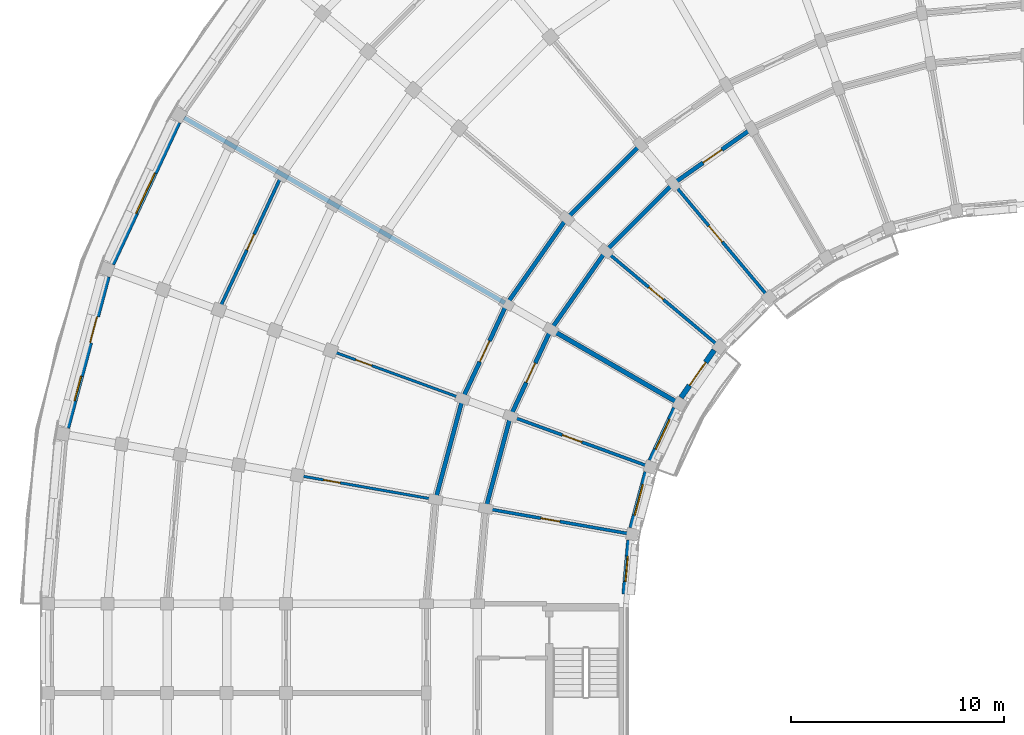
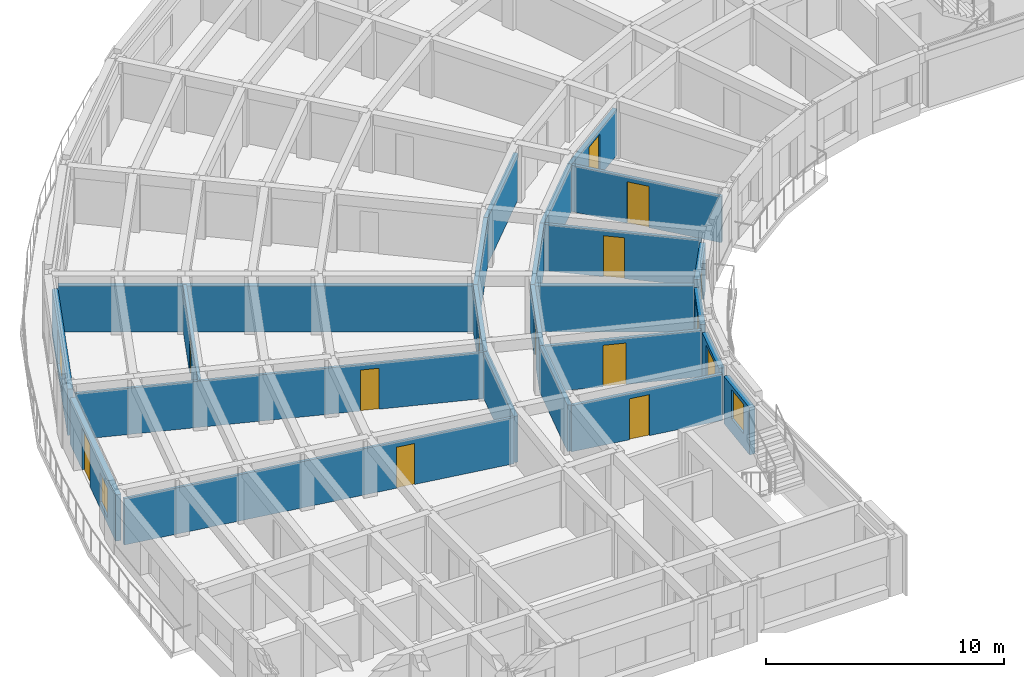
# One storey, part 23 of 53: 24 walls, 12 doors, 5 windows, 17 openings.
"""IFC4 building model written with IfcOpenShell, lengths in metres."""

from ifc_helpers import new_model, si_unit, direction, frame, frame_2d, origin, place, context, subcontext, project, spatial, rectangle, extrude, material, layer, layer_set, type_object, element, fill, save


model = new_model("IFC4")

# Units and contexts
model_context = context("Model", 3, precision=1e-05, world=origin(), true_north=direction((0.0, 1.0)))
body_context = subcontext(model_context, "Body", "Model", "MODEL_VIEW")
ifc_project = project(units=[si_unit("LENGTHUNIT", "METRE"), si_unit("AREAUNIT", "SQUARE_METRE"), si_unit("VOLUMEUNIT", "CUBIC_METRE"), si_unit("PLANEANGLEUNIT", "RADIAN"), si_unit("MASSUNIT", "GRAM", prefix="KILO")], contexts=[model_context])

# Site, building, storey
site_placement = place(None, origin())
site = spatial("IfcSite", under=ifc_project, at=site_placement, CompositionType="ELEMENT")
building_placement = place(site_placement, origin())
building = spatial("IfcBuilding", under=site, at=building_placement, Name="Kiranvali Square Residences", CompositionType="ELEMENT")
storey_placement = place(building_placement, frame((0.0, 0.0, 30.75)))
storey = spatial("IfcBuildingStorey", under=building, at=storey_placement, Name="L09", CompositionType="ELEMENT", Elevation=30.75)

# Wall, opening, door
ifc_material_1 = material(Name="Autoclaved aerated concrete blockwork masonry", Category="masonry")
ifc_layer_1 = layer(ifc_material_1, 0.199951171875)
ifc_layer_set_1 = layer_set([ifc_layer_1], Name="Autoclaved aerated concrete blockwork masonry")
wall_type_1 = type_object("IfcWallType", Name="WL-COR-200", PredefinedType="STANDARD", material=ifc_layer_set_1)
wall_1_placement = place(storey_placement, frame((35.300048828125, 110.1435546875, 0.0), z_axis=(0.0, 0.0, 1.0), x_axis=(-0.819155404658, -0.573571637217, 0.0)))
wall_1 = element("IfcWall", 1, at=wall_1_placement, inside=storey, type_object=wall_type_1, Name="L09 architectural wall WL-L09-A-CCI-3", PredefinedType="STANDARD", context=body_context, shape_type="SweptSolid", body=[
    extrude(rectangle(XDim=4.497314453125, YDim=0.199951171875, at=frame_2d((2.24853515625, 0.0))), origin(), (0.0, 0.0, 1.0), 2.3720703125),
])
opening_1_placement = place(wall_1_placement, frame((1.708740234375, 0.0, 0.0)))
opening_1 = element("IfcOpeningElement", 2, at=opening_1_placement, cuts=wall_1, Name="Opening FD-APT-60C", PredefinedType="OPENING", context=body_context, shape_type="SweptSolid", body=[
    extrude(rectangle(XDim=1.080078125, YDim=2.14990234375, at=frame_2d((0.5400390625, 1.074951171875))), frame((0.0, 0.10986328125, 0.0), z_axis=(0.0, -1.0, 0.0), x_axis=(1.0, 0.0, 0.0)), (0.0, 0.0, 1.0), 0.219970703125),
])
ifc_material_2 = material(Name="Fire-rated acoustic hardwood and mineral-core door assembly", Category="wood")
door_type_1 = type_object("IfcDoorType", Name="DR-APT-1080", OperationType="NOTDEFINED", PredefinedType="DOOR", material=ifc_material_2)
door_1_placement = place(opening_1_placement, origin())
door_1 = element("IfcDoor", 3, at=door_1_placement, inside=storey, type_object=door_type_1, Name="L09 door DR-L09-0617 (DR-APT-1080)", OperationType="SINGLE_SWING_LEFT", OverallHeight=2.14990234375, OverallWidth=1.080078125, PredefinedType="DOOR", context=body_context, shape_type="SweptSolid", body=[
    extrude(rectangle(XDim=1.080078125, YDim=2.14990234375, at=frame_2d((0.5400390625, 1.074951171875))), frame((0.0, 0.02490234375, 0.0), z_axis=(0.0, -1.0, 0.0), x_axis=(1.0, 0.0, 0.0)), (0.0, 0.0, 1.0), 0.050048828125),
])
fill(opening_1, door_1)

# Walls
wall_2_placement = place(storey_placement, frame((31.615966796875, 107.56396484375, 0.0), z_axis=(0.0, 0.0, 1.0), x_axis=(-0.707106781187, -0.707106781187, 0.0)))
element("IfcWall", 4, at=wall_2_placement, inside=storey, type_object=wall_type_1, Name="L09 architectural wall WL-L09-A-CCI-4", PredefinedType="STANDARD", context=body_context, shape_type="SweptSolid", body=[
    extrude(rectangle(XDim=4.4970703125, YDim=0.199951171875, at=frame_2d((2.24853515625, 0.0))), origin(), (0.0, 0.0, 1.0), 2.3720703125),
])
wall_3_placement = place(storey_placement, frame((30.073486328125, 109.40234375, 0.0), z_axis=(0.0, 0.0, 1.0), x_axis=(-0.707106781187, -0.707106781187, 0.0)))
element("IfcWall", 5, at=wall_3_placement, inside=storey, type_object=wall_type_1, Name="L09 architectural wall WL-L09-A-CCO-4", PredefinedType="STANDARD", context=body_context, shape_type="SweptSolid", body=[
    extrude(rectangle(XDim=4.91552734375, YDim=0.199951171875, at=frame_2d((2.457763671875, 0.0))), origin(), (0.0, 0.0, 1.0), 2.3720703125),
])
wall_4_placement = place(storey_placement, frame((28.43603515625, 104.384033203125, 0.0), z_axis=(0.0, 0.0, 1.0), x_axis=(-0.573571637217, -0.819155404658, 0.0)))
element("IfcWall", 6, at=wall_4_placement, inside=storey, type_object=wall_type_1, Name="L09 architectural wall WL-L09-A-CCI-5", PredefinedType="STANDARD", context=body_context, shape_type="SweptSolid", body=[
    extrude(rectangle(XDim=4.497314453125, YDim=0.199951171875, at=frame_2d((2.24853515625, 0.0))), origin(), (0.0, 0.0, 1.0), 2.3720703125),
])
wall_5_placement = place(storey_placement, frame((26.59765625, 105.926513671875, 0.0), z_axis=(0.0, 0.0, 1.0), x_axis=(-0.573592335331, -0.819140911474, 0.0)))
element("IfcWall", 7, at=wall_5_placement, inside=storey, type_object=wall_type_1, Name="L09 architectural wall WL-L09-A-CCO-5", PredefinedType="STANDARD", context=body_context, shape_type="SweptSolid", body=[
    extrude(rectangle(XDim=4.915771484375, YDim=0.199951171875, at=frame_2d((2.4580078125, 0.0))), origin(), (0.0, 0.0, 1.0), 2.3720703125),
])

# Wall, opening, door
wall_6_placement = place(storey_placement, frame((25.8564453125, 100.699951171875, 0.0), z_axis=(0.0, 0.0, 1.0), x_axis=(-0.422617978463, -0.906307919131, 0.0)))
wall_6 = element("IfcWall", 8, at=wall_6_placement, inside=storey, type_object=wall_type_1, Name="L09 architectural wall WL-L09-A-CCI-6", PredefinedType="STANDARD", context=body_context, shape_type="SweptSolid", body=[
    extrude(rectangle(XDim=4.497314453125, YDim=0.199951171875, at=frame_2d((2.24853515625, 0.0))), origin(), (0.0, 0.0, 1.0), 2.3720703125),
])
opening_2_placement = place(wall_6_placement, frame((1.74853515625, 0.0, 0.0)))
opening_2 = element("IfcOpeningElement", 9, at=opening_2_placement, cuts=wall_6, Name="Opening FD-APT-60", PredefinedType="OPENING", context=body_context, shape_type="SweptSolid", body=[
    extrude(rectangle(XDim=1.0, YDim=2.14990234375, at=frame_2d((0.5, 1.074951171875))), frame((0.0, 0.10986328125, 0.0), z_axis=(0.0, -1.0, 0.0), x_axis=(1.0, 0.0, 0.0)), (0.0, 0.0, 1.0), 0.219970703125),
])
door_type_2 = type_object("IfcDoorType", Name="DR-APT-1000", OperationType="NOTDEFINED", PredefinedType="DOOR", material=ifc_material_2)
door_2_placement = place(opening_2_placement, frame((1.0, 0.0, 0.0), z_axis=(0.0, 0.0, 1.0), x_axis=(-1.0, 0.0, 0.0)))
door_2 = element("IfcDoor", 10, at=door_2_placement, inside=storey, type_object=door_type_2, Name="L09 door DR-L09-0618 (DR-APT-1000)", OperationType="SINGLE_SWING_RIGHT", OverallHeight=2.14990234375, OverallWidth=1.0, PredefinedType="DOOR", context=body_context, shape_type="SweptSolid", body=[
    extrude(rectangle(XDim=1.0, YDim=2.14990234375, at=frame_2d((0.5, 1.074951171875))), frame((0.0, 0.02490234375, 0.0), z_axis=(0.0, -1.0, 0.0), x_axis=(1.0, 0.0, 0.0)), (0.0, 0.0, 1.0), 0.050048828125),
])
fill(opening_2, door_2)

wall_7_placement = place(storey_placement, frame((23.778076171875, 101.89990234375, 0.0), z_axis=(0.0, 0.0, 1.0), x_axis=(-0.422629854778, -0.906302381024, 0.0)))
wall_7 = element("IfcWall", 11, at=wall_7_placement, inside=storey, type_object=wall_type_1, Name="L09 architectural wall WL-L09-A-CCO-6", PredefinedType="STANDARD", context=body_context, shape_type="SweptSolid", body=[
    extrude(rectangle(XDim=4.915283203125, YDim=0.199951171875, at=frame_2d((2.45751953125, 0.0))), origin(), (0.0, 0.0, 1.0), 2.3720703125),
])
opening_3_placement = place(wall_7_placement, frame((1.917724609375, 0.0, 0.0)))
opening_3 = element("IfcOpeningElement", 12, at=opening_3_placement, cuts=wall_7, Name="Opening FD-APT-60C", PredefinedType="OPENING", context=body_context, shape_type="SweptSolid", body=[
    extrude(rectangle(XDim=1.080078125, YDim=2.14990234375, at=frame_2d((0.5400390625, 1.074951171875))), frame((0.0, 0.10986328125, 0.0), z_axis=(0.0, -1.0, 0.0), x_axis=(1.0, 0.0, 0.0)), (0.0, 0.0, 1.0), 0.219970703125),
])
door_3_placement = place(opening_3_placement, origin())
door_3 = element("IfcDoor", 13, at=door_3_placement, inside=storey, type_object=door_type_1, Name="L09 door DR-L09-0613 (DR-APT-1080)", OperationType="SINGLE_SWING_LEFT", OverallHeight=2.14990234375, OverallWidth=1.080078125, PredefinedType="DOOR", context=body_context, shape_type="SweptSolid", body=[
    extrude(rectangle(XDim=1.080078125, YDim=2.14990234375, at=frame_2d((0.5400390625, 1.074951171875))), frame((0.0, 0.02490234375, 0.0), z_axis=(0.0, -1.0, 0.0), x_axis=(1.0, 0.0, 0.0)), (0.0, 0.0, 1.0), 0.050048828125),
])
fill(opening_3, door_3)

# Walls
wall_8_placement = place(storey_placement, frame((23.955810546875, 96.6240234375, 0.0), z_axis=(0.0, 0.0, 1.0), x_axis=(-0.258787642463, -0.965934240054, 0.0)))
element("IfcWall", 14, at=wall_8_placement, inside=storey, type_object=wall_type_1, Name="L09 architectural wall WL-L09-A-CCI-7", PredefinedType="STANDARD", context=body_context, shape_type="SweptSolid", body=[
    extrude(rectangle(XDim=4.497314453125, YDim=0.199951171875, at=frame_2d((2.24853515625, 0.0))), origin(), (0.0, 0.0, 1.0), 2.3720703125),
])
wall_9_placement = place(storey_placement, frame((21.70068359375, 97.445068359375, 0.0), z_axis=(0.0, 0.0, 1.0), x_axis=(-0.258803112091, -0.965930095386, 0.0)))
element("IfcWall", 15, at=wall_9_placement, inside=storey, type_object=wall_type_1, Name="L09 architectural wall WL-L09-A-CCO-7", PredefinedType="STANDARD", context=body_context, shape_type="SweptSolid", body=[
    extrude(rectangle(XDim=4.915771484375, YDim=0.199951171875, at=frame_2d((2.4580078125, 0.0))), origin(), (0.0, 0.0, 1.0), 2.3720703125),
])
ifc_layer_2 = layer(ifc_material_1, 0.219970703125)
ifc_layer_set_2 = layer_set([ifc_layer_2], Name="Autoclaved aerated concrete blockwork masonry")
wall_type_2 = type_object("IfcWallType", Name="WL-DEM-220", PredefinedType="STANDARD", material=ifc_layer_set_2)
wall_10_placement = place(storey_placement, frame((31.74560546875, 97.300048828125, 0.0), z_axis=(0.0, 0.0, 1.0), x_axis=(-0.866026575979, 0.499997969693, 0.0)))
element("IfcWall", 16, at=wall_10_placement, inside=storey, type_object=wall_type_2, Name="L09 architectural wall WL-L09-A-RADI-6", PredefinedType="STANDARD", context=body_context, shape_type="SweptSolid", body=[
    extrude(rectangle(XDim=6.75, YDim=0.219970703125, at=frame_2d((3.375, 0.0))), origin(), (0.0, 0.0, 1.0), 2.3720703125),
])
wall_11_placement = place(storey_placement, frame((23.69140625, 101.949951171875, 0.0), z_axis=(0.0, 0.0, 1.0), x_axis=(-0.866026648973, 0.499997843263, 0.0)))
element("IfcWall", 17, at=wall_11_placement, inside=storey, type_object=wall_type_2, Name="L09 architectural wall WL-L09-A-RADO-6", PredefinedType="STANDARD", context=body_context, shape_type="SweptSolid", body=[
    extrude(rectangle(XDim=17.419921875, YDim=0.219970703125, at=frame_2d((8.7099609375, 0.0))), origin(), (0.0, 0.0, 1.0), 2.3720703125),
])

# Wall, opening, window
ifc_material_3 = material(Name="Breathable lime-rendered clay brick masonry", Category="masonry")
ifc_layer_3 = layer(ifc_material_3, 0.25)
ifc_layer_set_3 = layer_set([ifc_layer_3], Name="Breathable lime-rendered clay brick masonry")
wall_type_3 = type_object("IfcWallType", Name="WL-EXT-250", PredefinedType="STANDARD", material=ifc_layer_set_3)
wall_12_placement = place(storey_placement, frame((8.33837890625, 110.4521484375, 0.0), z_axis=(0.0, 0.0, 1.0), x_axis=(-0.422589730823, -0.906321090675, 0.0)))
wall_12 = element("IfcWall", 18, at=wall_12_placement, inside=storey, type_object=wall_type_3, Name="L09 exterior wall A-L09-CRV-06", PredefinedType="STANDARD", context=body_context, shape_type="SweptSolid", body=[
    extrude(rectangle(XDim=7.3671875, YDim=0.25, at=frame_2d((3.68359375, 0.0))), origin(), (0.0, 0.0, 1.0), 2.3720703125),
])
opening_4_placement = place(wall_12_placement, frame((2.633544921875, 0.0, 0.3720703125)))
opening_4 = element("IfcOpeningElement", 19, at=opening_4_placement, cuts=wall_12, Name="Opening W-03", PredefinedType="OPENING", context=body_context, shape_type="SweptSolid", body=[
    extrude(rectangle(XDim=2.10009765625, YDim=1.800048828125, at=frame_2d((1.050048828125, 0.89990234375))), frame((0.0, 0.135009765625, 0.0), z_axis=(0.0, -1.0, 0.0), x_axis=(1.0, 0.0, 0.0)), (0.0, 0.0, 1.0), 0.27001953125),
])
ifc_material_4 = material(Name="Solar-control low-e double glazing", Category="glass")
window_type_1 = type_object("IfcWindowType", Name="WIN-RES-2100x1800", PartitioningType="TRIPLE_PANEL_VERTICAL", PredefinedType="WINDOW", material=ifc_material_4)
window_1_placement = place(opening_4_placement, origin())
window_1 = element("IfcWindow", 20, at=window_1_placement, inside=storey, type_object=window_type_1, Name="L09 recessed window A-L09-CRV-06", OverallHeight=1.800048828125, OverallWidth=2.10009765625, PartitioningType="TRIPLE_PANEL_VERTICAL", PredefinedType="WINDOW", context=body_context, shape_type="SweptSolid", body=[
    extrude(rectangle(XDim=2.10009765625, YDim=1.800048828125, at=frame_2d((1.050048828125, 0.89990234375))), frame((0.0, 0.030029296875, 0.0), z_axis=(0.0, -1.0, 0.0), x_axis=(1.0, 0.0, 0.0)), (0.0, 0.0, 1.0), 0.06005859375),
])
fill(opening_4, window_1)

# Wall, openings, door, window
wall_13_placement = place(storey_placement, frame((5.010498046875, 103.18603515625, 0.0), z_axis=(0.0, 0.0, 1.0), x_axis=(-0.258821669831, -0.965925122991, 0.0)))
wall_13 = element("IfcWall", 21, at=wall_13_placement, inside=storey, type_object=wall_type_3, Name="L09 exterior wall A-L09-CRV-07", PredefinedType="STANDARD", context=body_context, shape_type="SweptSolid", body=[
    extrude(rectangle(XDim=7.366943359375, YDim=0.25, at=frame_2d((3.68359375, 0.0))), origin(), (0.0, 0.0, 1.0), 2.3720703125),
])
opening_5_placement = place(wall_13_placement, frame((4.83984375, 0.0, 0.322021484375)))
opening_5 = element("IfcOpeningElement", 22, at=opening_5_placement, cuts=wall_13, Name="Opening W-06", PredefinedType="OPENING", context=body_context, shape_type="SweptSolid", body=[
    extrude(rectangle(XDim=1.199951171875, YDim=1.5, at=frame_2d((0.60009765625, 0.75))), frame((0.0, 0.135009765625, 0.0), z_axis=(0.0, -1.0, 0.0), x_axis=(1.0, 0.0, 0.0)), (0.0, 0.0, 1.0), 0.27001953125),
])
opening_6_placement = place(wall_13_placement, frame((1.948486328125, 0.0, 0.0)))
opening_6 = element("IfcOpeningElement", 23, at=opening_6_placement, cuts=wall_13, Name="Opening ED-BAL-2", PredefinedType="OPENING", context=body_context, shape_type="SweptSolid", body=[
    extrude(rectangle(XDim=1.260009765625, YDim=2.14990234375, at=frame_2d((0.6298828125, 1.074951171875))), frame((0.0, 0.135009765625, 0.0), z_axis=(0.0, -1.0, 0.0), x_axis=(1.0, 0.0, 0.0)), (0.0, 0.0, 1.0), 0.27001953125),
])
ifc_material_5 = material(Name="Anodised bronze aluminium framing", Category="aluminium")
door_type_3 = type_object("IfcDoorType", Name="DR-BAL-1260", OperationType="NOTDEFINED", PredefinedType="DOOR", material=ifc_material_5)
door_4_placement = place(opening_6_placement, frame((1.260009765625, 0.0, 0.0), z_axis=(0.0, 0.0, 1.0), x_axis=(-1.0, 0.0, 0.0)))
door_4 = element("IfcDoor", 24, at=door_4_placement, inside=storey, type_object=door_type_3, Name="L09 balcony terrace door", OperationType="SINGLE_SWING_LEFT", OverallHeight=2.14990234375, OverallWidth=1.260009765625, PredefinedType="DOOR", context=body_context, shape_type="SweptSolid", body=[
    extrude(rectangle(XDim=1.260009765625, YDim=2.14990234375, at=frame_2d((0.6298828125, 1.074951171875))), frame((0.0, 0.02490234375, 0.0), z_axis=(0.0, -1.0, 0.0), x_axis=(1.0, 0.0, 0.0)), (0.0, 0.0, 1.0), 0.050048828125),
])
fill(opening_6, door_4)
window_type_2 = type_object("IfcWindowType", Name="WIN-RES-1200x1500", PartitioningType="SINGLE_PANEL", PredefinedType="WINDOW", material=ifc_material_4)
window_2_placement = place(opening_5_placement, origin())
window_2 = element("IfcWindow", 25, at=window_2_placement, inside=storey, type_object=window_type_2, Name="L09 recessed window A-L09-CRV-07", OverallHeight=1.5, OverallWidth=1.199951171875, PartitioningType="SINGLE_PANEL", PredefinedType="WINDOW", context=body_context, shape_type="SweptSolid", body=[
    extrude(rectangle(XDim=1.199951171875, YDim=1.5, at=frame_2d((0.60009765625, 0.75))), frame((0.0, 0.030029296875, 0.0), z_axis=(0.0, -1.0, 0.0), x_axis=(1.0, 0.0, 0.0)), (0.0, 0.0, 1.0), 0.06005859375),
])
fill(opening_5, window_2)

# Wall, opening, door
wall_14_placement = place(storey_placement, frame((33.5361328125, 99.727783203125, 0.0), z_axis=(0.0, 0.0, 1.0), x_axis=(-0.573612950921, -0.819126475299, 0.0)))
wall_14 = element("IfcWall", 26, at=wall_14_placement, inside=storey, type_object=wall_type_3, Name="L09 exterior wall A-L09-GDN-05", PredefinedType="STANDARD", context=body_context, shape_type="SweptSolid", body=[
    extrude(rectangle(XDim=2.7197265625, YDim=0.25, at=frame_2d((1.35986328125, 0.0))), origin(), (0.0, 0.0, 1.0), 2.422119140625),
])
opening_7_placement = place(wall_14_placement, frame((0.699951171875, 0.0, 0.0)))
opening_7 = element("IfcOpeningElement", 27, at=opening_7_placement, cuts=wall_14, Name="Opening ED-BAL-3", PredefinedType="OPENING", context=body_context, shape_type="SweptSolid", body=[
    extrude(rectangle(XDim=1.320068359375, YDim=2.14990234375, at=frame_2d((0.66015625, 1.074951171875))), frame((0.0, 0.135009765625, 0.0), z_axis=(0.0, -1.0, 0.0), x_axis=(1.0, 0.0, 0.0)), (0.0, 0.0, 1.0), 0.27001953125),
])
door_type_4 = type_object("IfcDoorType", Name="DR-BAL-1320", OperationType="NOTDEFINED", PredefinedType="DOOR", material=ifc_material_5)
door_5_placement = place(opening_7_placement, origin())
door_5 = element("IfcDoor", 28, at=door_5_placement, inside=storey, type_object=door_type_4, Name="L09 balcony terrace door", OperationType="SINGLE_SWING_LEFT", OverallHeight=2.14990234375, OverallWidth=1.320068359375, PredefinedType="DOOR", context=body_context, shape_type="SweptSolid", body=[
    extrude(rectangle(XDim=1.320068359375, YDim=2.14990234375, at=frame_2d((0.66015625, 1.074951171875))), frame((0.0, 0.02490234375, 0.0), z_axis=(0.0, -1.0, 0.0), x_axis=(1.0, 0.0, 0.0)), (0.0, 0.0, 1.0), 0.050048828125),
])
fill(opening_7, door_5)

# Wall, opening, window
wall_15_placement = place(storey_placement, frame((31.687744140625, 97.000244140625, 0.0), z_axis=(0.0, 0.0, 1.0), x_axis=(-0.422629903269, -0.906302358412, 0.0)))
wall_15 = element("IfcWall", 29, at=wall_15_placement, inside=storey, type_object=wall_type_3, Name="L09 exterior wall A-L09-GDN-06", PredefinedType="STANDARD", context=body_context, shape_type="SweptSolid", body=[
    extrude(rectangle(XDim=2.7197265625, YDim=0.25, at=frame_2d((1.35986328125, 0.0))), origin(), (0.0, 0.0, 1.0), 2.422119140625),
])
opening_8_placement = place(wall_15_placement, frame((0.5849609375, 0.0, 0.6220703125)))
opening_8 = element("IfcOpeningElement", 30, at=opening_8_placement, cuts=wall_15, Name="Opening W-18", PredefinedType="OPENING", context=body_context, shape_type="SweptSolid", body=[
    extrude(rectangle(XDim=1.550048828125, YDim=1.60009765625, at=frame_2d((0.77490234375, 0.800048828125))), frame((0.0, 0.135009765625, 0.0), z_axis=(0.0, -1.0, 0.0), x_axis=(1.0, 0.0, 0.0)), (0.0, 0.0, 1.0), 0.27001953125),
])
window_type_3 = type_object("IfcWindowType", Name="WIN-GDN-1550x1600", PartitioningType="DOUBLE_PANEL_VERTICAL", PredefinedType="WINDOW", material=ifc_material_4)
window_3_placement = place(opening_8_placement, origin())
window_3 = element("IfcWindow", 31, at=window_3_placement, inside=storey, type_object=window_type_3, Name="L09 recessed window A-L09-GDN-06", OverallHeight=1.60009765625, OverallWidth=1.550048828125, PartitioningType="DOUBLE_PANEL_VERTICAL", PredefinedType="WINDOW", context=body_context, shape_type="SweptSolid", body=[
    extrude(rectangle(XDim=1.550048828125, YDim=1.60009765625, at=frame_2d((0.77490234375, 0.800048828125))), frame((0.0, 0.030029296875, 0.0), z_axis=(0.0, -1.0, 0.0), x_axis=(1.0, 0.0, 0.0)), (0.0, 0.0, 1.0), 0.06005859375),
])
fill(opening_8, window_3)

wall_16_placement = place(storey_placement, frame((30.3408203125, 93.9931640625, 0.0), z_axis=(0.0, 0.0, 1.0), x_axis=(-0.258807879411, -0.965928818058, 0.0)))
wall_16 = element("IfcWall", 32, at=wall_16_placement, inside=storey, type_object=wall_type_3, Name="L09 exterior wall A-L09-GDN-07", PredefinedType="STANDARD", context=body_context, shape_type="SweptSolid", body=[
    extrude(rectangle(XDim=2.7197265625, YDim=0.25, at=frame_2d((1.35986328125, 0.0))), origin(), (0.0, 0.0, 1.0), 2.422119140625),
])
opening_9_placement = place(wall_16_placement, frame((0.60986328125, 0.0, 0.572021484375)))
opening_9 = element("IfcOpeningElement", 33, at=opening_9_placement, cuts=wall_16, Name="Opening W-05", PredefinedType="OPENING", context=body_context, shape_type="SweptSolid", body=[
    extrude(rectangle(XDim=1.5, YDim=1.64990234375, at=frame_2d((0.75, 0.824951171875))), frame((0.0, 0.135009765625, 0.0), z_axis=(0.0, -1.0, 0.0), x_axis=(1.0, 0.0, 0.0)), (0.0, 0.0, 1.0), 0.27001953125),
])
window_type_4 = type_object("IfcWindowType", Name="WIN-RES-1500x1650", PartitioningType="DOUBLE_PANEL_VERTICAL", PredefinedType="WINDOW", material=ifc_material_4)
window_4_placement = place(opening_9_placement, origin())
window_4 = element("IfcWindow", 34, at=window_4_placement, inside=storey, type_object=window_type_4, Name="L09 recessed window A-L09-GDN-07", OverallHeight=1.64990234375, OverallWidth=1.5, PartitioningType="DOUBLE_PANEL_VERTICAL", PredefinedType="WINDOW", context=body_context, shape_type="SweptSolid", body=[
    extrude(rectangle(XDim=1.5, YDim=1.64990234375, at=frame_2d((0.75, 0.824951171875))), frame((0.0, 0.030029296875, 0.0), z_axis=(0.0, -1.0, 0.0), x_axis=(1.0, 0.0, 0.0)), (0.0, 0.0, 1.0), 0.06005859375),
])
fill(opening_9, window_4)

wall_17_placement = place(storey_placement, frame((29.536865234375, 90.7978515625, 0.0), z_axis=(0.0, 0.0, 1.0), x_axis=(-0.087222589008, -0.996188847542, 0.0)))
wall_17 = element("IfcWall", 35, at=wall_17_placement, inside=storey, type_object=wall_type_3, Name="L09 exterior wall A-L09-GDN-08", PredefinedType="STANDARD", context=body_context, shape_type="SweptSolid", body=[
    extrude(rectangle(XDim=2.558349609375, YDim=0.25, at=frame_2d((1.279296875, 0.0))), origin(), (0.0, 0.0, 1.0), 2.422119140625),
])
opening_10_placement = place(wall_17_placement, frame((0.759765625, 0.0, 0.721923828125)))
opening_10 = element("IfcOpeningElement", 36, at=opening_10_placement, cuts=wall_17, Name="Opening W-06", PredefinedType="OPENING", context=body_context, shape_type="SweptSolid", body=[
    extrude(rectangle(XDim=1.199951171875, YDim=1.5, at=frame_2d((0.60009765625, 0.75))), frame((0.0, 0.135009765625, 0.0), z_axis=(0.0, -1.0, 0.0), x_axis=(1.0, 0.0, 0.0)), (0.0, 0.0, 1.0), 0.27001953125),
])
window_5_placement = place(opening_10_placement, origin())
window_5 = element("IfcWindow", 37, at=window_5_placement, inside=storey, type_object=window_type_2, Name="L09 recessed window A-L09-GDN-08", OverallHeight=1.5, OverallWidth=1.199951171875, PartitioningType="SINGLE_PANEL", PredefinedType="WINDOW", context=body_context, shape_type="SweptSolid", body=[
    extrude(rectangle(XDim=1.199951171875, YDim=1.5, at=frame_2d((0.60009765625, 0.75))), frame((0.0, 0.030029296875, 0.0), z_axis=(0.0, -1.0, 0.0), x_axis=(1.0, 0.0, 0.0)), (0.0, 0.0, 1.0), 0.06005859375),
])
fill(opening_10, window_5)

# Wall, opening, door
ifc_material_6 = material(Name="Acoustic gypsum board drylined partition", Category="gypsum")
ifc_layer_4 = layer(ifc_material_6, 0.125)
ifc_layer_set_4 = layer_set([ifc_layer_4], Name="Acoustic gypsum board drylined partition")
wall_type_4 = type_object("IfcWallType", Name="WL-PRT-125", PredefinedType="PARTITIONING", material=ifc_layer_set_4)
wall_18_placement = place(storey_placement, frame((21.606689453125, 97.479248046875, 0.0), z_axis=(0.0, 0.0, 1.0), x_axis=(-0.939691901159, 0.342022120477, 0.0)))
wall_18 = element("IfcWall", 38, at=wall_18_placement, inside=storey, type_object=wall_type_4, Name="L09 architectural wall WL-L09-A-RADO-7", PredefinedType="PARTITIONING", context=body_context, shape_type="SweptSolid", body=[
    extrude(rectangle(XDim=17.419921875, YDim=0.125, at=frame_2d((8.7099609375, 0.0))), origin(), (0.0, 0.0, 1.0), 2.3720703125),
])
opening_11_placement = place(wall_18_placement, frame((4.44970703125, 0.0, 0.0)))
opening_11 = element("IfcOpeningElement", 39, at=opening_11_placement, cuts=wall_18, Name="Opening ID-WET", PredefinedType="OPENING", context=body_context, shape_type="SweptSolid", body=[
    extrude(rectangle(XDim=0.800048828125, YDim=2.10009765625, at=frame_2d((0.39990234375, 1.050048828125))), frame((0.0, 0.072509765625, 0.0), z_axis=(0.0, -1.0, 0.0), x_axis=(1.0, 0.0, 0.0)), (0.0, 0.0, 1.0), 0.14501953125),
])
ifc_material_7 = material(Name="Solid seasoned teak hardwood joinery", Category="wood")
door_type_5 = type_object("IfcDoorType", Name="DR-WET-800", OperationType="NOTDEFINED", PredefinedType="DOOR", material=ifc_material_7)
door_6_placement = place(opening_11_placement, frame((0.800048828125, 0.0, 0.0), z_axis=(0.0, 0.0, 1.0), x_axis=(-1.0, 0.0, 0.0)))
door_6 = element("IfcDoor", 40, at=door_6_placement, inside=storey, type_object=door_type_5, Name="L09 door DR-L09-0604 (DR-WET-800)", OperationType="SINGLE_SWING_RIGHT", OverallHeight=2.10009765625, OverallWidth=0.800048828125, PredefinedType="DOOR", context=body_context, shape_type="SweptSolid", body=[
    extrude(rectangle(XDim=0.800048828125, YDim=2.10009765625, at=frame_2d((0.39990234375, 1.050048828125))), frame((0.0, 0.02490234375, 0.0), z_axis=(0.0, -1.0, 0.0), x_axis=(1.0, 0.0, 0.0)), (0.0, 0.0, 1.0), 0.050048828125),
])
fill(opening_11, door_6)

wall_19_placement = place(storey_placement, frame((20.329833984375, 92.71435546875, 0.0), z_axis=(0.0, 0.0, 1.0), x_axis=(-0.984808098809, 0.173646216546, 0.0)))
wall_19 = element("IfcWall", 41, at=wall_19_placement, inside=storey, type_object=wall_type_4, Name="L09 architectural wall WL-L09-A-RADO-8", PredefinedType="PARTITIONING", context=body_context, shape_type="SweptSolid", body=[
    extrude(rectangle(XDim=17.419921875, YDim=0.125, at=frame_2d((8.7099609375, 0.0))), origin(), (0.0, 0.0, 1.0), 2.3720703125),
])
opening_12_placement = place(wall_19_placement, frame((4.44970703125, 0.0, 0.0)))
opening_12 = element("IfcOpeningElement", 42, at=opening_12_placement, cuts=wall_19, Name="Opening ID-WET", PredefinedType="OPENING", context=body_context, shape_type="SweptSolid", body=[
    extrude(rectangle(XDim=0.800048828125, YDim=2.10009765625, at=frame_2d((0.39990234375, 1.050048828125))), frame((0.0, 0.072509765625, 0.0), z_axis=(0.0, -1.0, 0.0), x_axis=(1.0, 0.0, 0.0)), (0.0, 0.0, 1.0), 0.14501953125),
])
door_7_placement = place(opening_12_placement, frame((0.800048828125, 0.0, 0.0), z_axis=(0.0, 0.0, 1.0), x_axis=(-1.0, 0.0, 0.0)))
door_7 = element("IfcDoor", 43, at=door_7_placement, inside=storey, type_object=door_type_5, Name="L09 door DR-L09-0606 (DR-WET-800)", OperationType="SINGLE_SWING_RIGHT", OverallHeight=2.10009765625, OverallWidth=0.800048828125, PredefinedType="DOOR", context=body_context, shape_type="SweptSolid", body=[
    extrude(rectangle(XDim=0.800048828125, YDim=2.10009765625, at=frame_2d((0.39990234375, 1.050048828125))), frame((0.0, 0.02490234375, 0.0), z_axis=(0.0, -1.0, 0.0), x_axis=(1.0, 0.0, 0.0)), (0.0, 0.0, 1.0), 0.050048828125),
])
fill(opening_12, door_7)

ifc_layer_5 = layer(ifc_material_6, 0.14990234375)
ifc_layer_set_5 = layer_set([ifc_layer_5], Name="Acoustic gypsum board drylined partition")
wall_type_5 = type_object("IfcWallType", Name="WL-PRT-150", PredefinedType="PARTITIONING", material=ifc_layer_set_5)
wall_20_placement = place(storey_placement, frame((35.987060546875, 102.354736328125, 0.0), z_axis=(0.0, 0.0, 1.0), x_axis=(-0.642784846501, 0.766046761698, 0.0)))
wall_20 = element("IfcWall", 44, at=wall_20_placement, inside=storey, type_object=wall_type_5, Name="L09 architectural wall WL-L09-A-RADI-4", PredefinedType="PARTITIONING", context=body_context, shape_type="SweptSolid", body=[
    extrude(rectangle(XDim=6.75, YDim=0.14990234375, at=frame_2d((3.375, 0.0))), origin(), (0.0, 0.0, 1.0), 2.3720703125),
])
opening_13_placement = place(wall_20_placement, frame((3.222412109375, 0.0, 0.0)))
opening_13 = element("IfcOpeningElement", 45, at=opening_13_placement, cuts=wall_20, Name="Opening ID-3", PredefinedType="OPENING", context=body_context, shape_type="SweptSolid", body=[
    extrude(rectangle(XDim=0.97998046875, YDim=2.1201171875, at=frame_2d((0.489990234375, 1.06005859375))), frame((0.0, 0.0849609375, 0.0), z_axis=(0.0, -1.0, 0.0), x_axis=(1.0, 0.0, 0.0)), (0.0, 0.0, 1.0), 0.169921875),
])
door_type_6 = type_object("IfcDoorType", Name="DR-INT-980", OperationType="NOTDEFINED", PredefinedType="DOOR", material=ifc_material_7)
door_8_placement = place(opening_13_placement, origin())
door_8 = element("IfcDoor", 46, at=door_8_placement, inside=storey, type_object=door_type_6, Name="L09 door DR-L09-0599 (DR-INT-980)", OperationType="SINGLE_SWING_LEFT", OverallHeight=2.1201171875, OverallWidth=0.97998046875, PredefinedType="DOOR", context=body_context, shape_type="SweptSolid", body=[
    extrude(rectangle(XDim=0.97998046875, YDim=2.1201171875, at=frame_2d((0.489990234375, 1.06005859375))), frame((0.0, 0.02490234375, 0.0), z_axis=(0.0, -1.0, 0.0), x_axis=(1.0, 0.0, 0.0)), (0.0, 0.0, 1.0), 0.050048828125),
])
fill(opening_13, door_8)

wall_21_placement = place(storey_placement, frame((33.645263671875, 100.012939453125, 0.0), z_axis=(0.0, 0.0, 1.0), x_axis=(-0.766046761698, 0.642784846501, 0.0)))
wall_21 = element("IfcWall", 47, at=wall_21_placement, inside=storey, type_object=wall_type_5, Name="L09 architectural wall WL-L09-A-RADI-5", PredefinedType="PARTITIONING", context=body_context, shape_type="SweptSolid", body=[
    extrude(rectangle(XDim=6.75, YDim=0.14990234375, at=frame_2d((3.375, 0.0))), origin(), (0.0, 0.0, 1.0), 2.3720703125),
])
opening_14_placement = place(wall_21_placement, frame((3.262451171875, 0.0, 0.0)))
opening_14 = element("IfcOpeningElement", 48, at=opening_14_placement, cuts=wall_21, Name="Opening ID-1", PredefinedType="OPENING", context=body_context, shape_type="SweptSolid", body=[
    extrude(rectangle(XDim=0.89990234375, YDim=2.10009765625, at=frame_2d((0.449951171875, 1.050048828125))), frame((0.0, 0.0849609375, 0.0), z_axis=(0.0, -1.0, 0.0), x_axis=(1.0, 0.0, 0.0)), (0.0, 0.0, 1.0), 0.169921875),
])
door_type_7 = type_object("IfcDoorType", Name="DR-INT-900", OperationType="NOTDEFINED", PredefinedType="DOOR", material=ifc_material_7)
door_9_placement = place(opening_14_placement, origin())
door_9 = element("IfcDoor", 49, at=door_9_placement, inside=storey, type_object=door_type_7, Name="L09 door DR-L09-0601 (DR-INT-900)", OperationType="SINGLE_SWING_LEFT", OverallHeight=2.10009765625, OverallWidth=0.89990234375, PredefinedType="DOOR", context=body_context, shape_type="SweptSolid", body=[
    extrude(rectangle(XDim=0.89990234375, YDim=2.10009765625, at=frame_2d((0.449951171875, 1.050048828125))), frame((0.0, 0.02490234375, 0.0), z_axis=(0.0, -1.0, 0.0), x_axis=(1.0, 0.0, 0.0)), (0.0, 0.0, 1.0), 0.050048828125),
])
fill(opening_14, door_9)

wall_22_placement = place(storey_placement, frame((30.345947265625, 94.29833984375, 0.0), z_axis=(0.0, 0.0, 1.0), x_axis=(-0.939696231917, 0.342010221662, 0.0)))
wall_22 = element("IfcWall", 50, at=wall_22_placement, inside=storey, type_object=wall_type_5, Name="L09 architectural wall WL-L09-A-RADI-7", PredefinedType="PARTITIONING", context=body_context, shape_type="SweptSolid", body=[
    extrude(rectangle(XDim=6.75, YDim=0.14990234375, at=frame_2d((3.375, 0.0))), origin(), (0.0, 0.0, 1.0), 2.3720703125),
])
opening_15_placement = place(wall_22_placement, frame((3.222412109375, 0.0, 0.0)))
opening_15 = element("IfcOpeningElement", 51, at=opening_15_placement, cuts=wall_22, Name="Opening ID-3", PredefinedType="OPENING", context=body_context, shape_type="SweptSolid", body=[
    extrude(rectangle(XDim=0.97998046875, YDim=2.1201171875, at=frame_2d((0.489990234375, 1.06005859375))), frame((0.0, 0.0849609375, 0.0), z_axis=(0.0, -1.0, 0.0), x_axis=(1.0, 0.0, 0.0)), (0.0, 0.0, 1.0), 0.169921875),
])
door_10_placement = place(opening_15_placement, origin())
door_10 = element("IfcDoor", 52, at=door_10_placement, inside=storey, type_object=door_type_6, Name="L09 door DR-L09-0603 (DR-INT-980)", OperationType="SINGLE_SWING_LEFT", OverallHeight=2.1201171875, OverallWidth=0.97998046875, PredefinedType="DOOR", context=body_context, shape_type="SweptSolid", body=[
    extrude(rectangle(XDim=0.97998046875, YDim=2.1201171875, at=frame_2d((0.489990234375, 1.06005859375))), frame((0.0, 0.02490234375, 0.0), z_axis=(0.0, -1.0, 0.0), x_axis=(1.0, 0.0, 0.0)), (0.0, 0.0, 1.0), 0.050048828125),
])
fill(opening_15, door_10)

wall_23_placement = place(storey_placement, frame((29.48876953125, 91.099365234375, 0.0), z_axis=(0.0, 0.0, 1.0), x_axis=(-0.984807944945, 0.173647089161, 0.0)))
wall_23 = element("IfcWall", 53, at=wall_23_placement, inside=storey, type_object=wall_type_5, Name="L09 architectural wall WL-L09-A-RADI-8", PredefinedType="PARTITIONING", context=body_context, shape_type="SweptSolid", body=[
    extrude(rectangle(XDim=6.75, YDim=0.14990234375, at=frame_2d((3.375, 0.0))), origin(), (0.0, 0.0, 1.0), 2.3720703125),
])
opening_16_placement = place(wall_23_placement, frame((3.262451171875, 0.0, 0.0)))
opening_16 = element("IfcOpeningElement", 54, at=opening_16_placement, cuts=wall_23, Name="Opening ID-1", PredefinedType="OPENING", context=body_context, shape_type="SweptSolid", body=[
    extrude(rectangle(XDim=0.89990234375, YDim=2.10009765625, at=frame_2d((0.449951171875, 1.050048828125))), frame((0.0, 0.0849609375, 0.0), z_axis=(0.0, -1.0, 0.0), x_axis=(1.0, 0.0, 0.0)), (0.0, 0.0, 1.0), 0.169921875),
])
door_11_placement = place(opening_16_placement, origin())
door_11 = element("IfcDoor", 55, at=door_11_placement, inside=storey, type_object=door_type_7, Name="L09 door DR-L09-0605 (DR-INT-900)", OperationType="SINGLE_SWING_LEFT", OverallHeight=2.10009765625, OverallWidth=0.89990234375, PredefinedType="DOOR", context=body_context, shape_type="SweptSolid", body=[
    extrude(rectangle(XDim=0.89990234375, YDim=2.10009765625, at=frame_2d((0.449951171875, 1.050048828125))), frame((0.0, 0.02490234375, 0.0), z_axis=(0.0, -1.0, 0.0), x_axis=(1.0, 0.0, 0.0)), (0.0, 0.0, 1.0), 0.050048828125),
])
fill(opening_16, door_11)

ifc_layer_6 = layer(ifc_material_1, 0.14990234375)
ifc_layer_set_6 = layer_set([ifc_layer_6], Name="Autoclaved aerated concrete blockwork masonry")
wall_type_6 = type_object("IfcWallType", Name="WL-WET-150", PredefinedType="PLUMBINGWALL", material=ifc_layer_set_6)
wall_24_placement = place(storey_placement, frame((13.212646484375, 108.0, 0.0), z_axis=(0.0, 0.0, 1.0), x_axis=(-0.422640621205, -0.906297360311, 0.0)))
wall_24 = element("IfcWall", 56, at=wall_24_placement, inside=storey, type_object=wall_type_6, Name="L09 architectural wall WL-L09-A-CWET-6", PredefinedType="PLUMBINGWALL", context=body_context, shape_type="SweptSolid", body=[
    extrude(rectangle(XDim=7.042236328125, YDim=0.14990234375, at=frame_2d((3.52099609375, 0.0))), origin(), (0.0, 0.0, 1.0), 2.3720703125),
])
opening_17_placement = place(wall_24_placement, frame((3.12109375, 0.0, 0.0)))
opening_17 = element("IfcOpeningElement", 57, at=opening_17_placement, cuts=wall_24, Name="Opening ID-WET", PredefinedType="OPENING", context=body_context, shape_type="SweptSolid", body=[
    extrude(rectangle(XDim=0.800048828125, YDim=2.10009765625, at=frame_2d((0.39990234375, 1.050048828125))), frame((0.0, 0.0849609375, 0.0), z_axis=(0.0, -1.0, 0.0), x_axis=(1.0, 0.0, 0.0)), (0.0, 0.0, 1.0), 0.169921875),
])
door_12_placement = place(opening_17_placement, frame((0.800048828125, 0.0, 0.0), z_axis=(0.0, 0.0, 1.0), x_axis=(-1.0, 0.0, 0.0)))
door_12 = element("IfcDoor", 58, at=door_12_placement, inside=storey, type_object=door_type_5, Name="L09 door DR-L09-0614 (DR-WET-800)", OperationType="SINGLE_SWING_RIGHT", OverallHeight=2.10009765625, OverallWidth=0.800048828125, PredefinedType="DOOR", context=body_context, shape_type="SweptSolid", body=[
    extrude(rectangle(XDim=0.800048828125, YDim=2.10009765625, at=frame_2d((0.39990234375, 1.050048828125))), frame((0.0, 0.02490234375, 0.0), z_axis=(0.0, -1.0, 0.0), x_axis=(1.0, 0.0, 0.0)), (0.0, 0.0, 1.0), 0.050048828125),
])
fill(opening_17, door_12)

save(model, "model.ifc")
